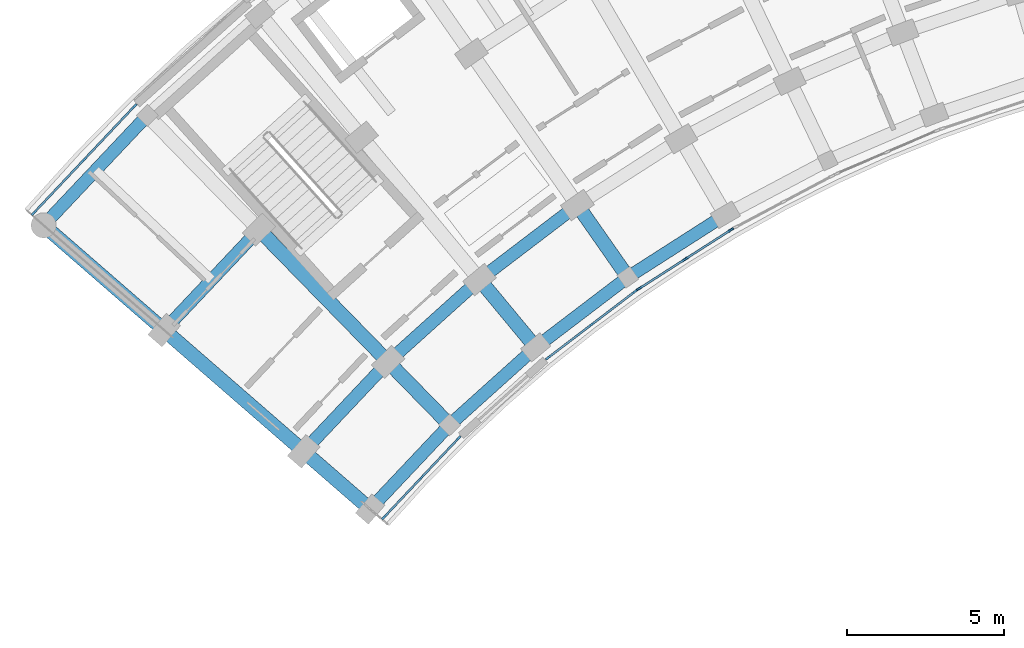
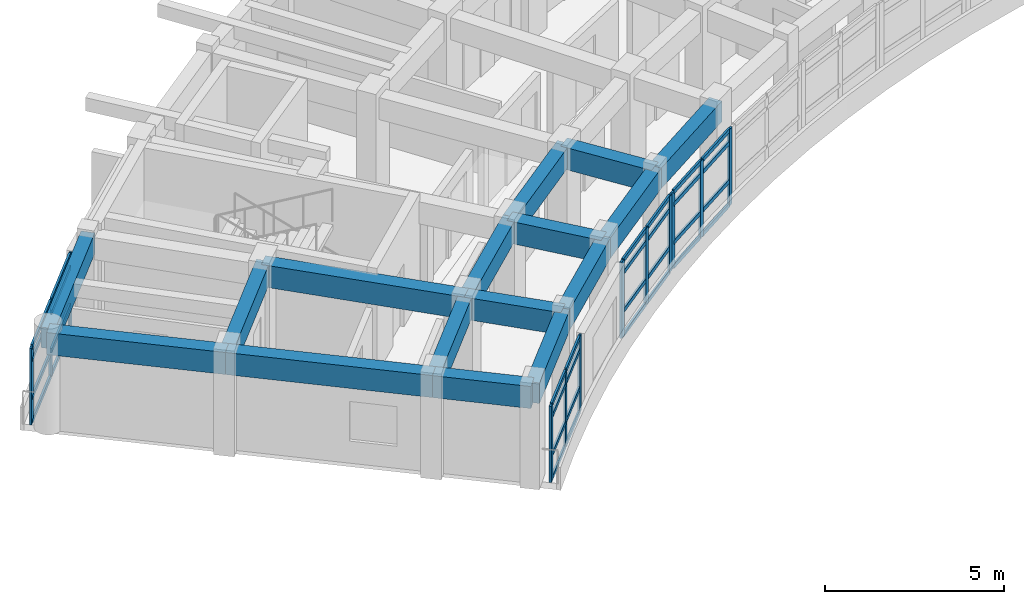
# One storey, part 22 of 83: 44 members, 16 beams, 4 elements without a shape of their own.
"""IFC4 building model written with IfcOpenShell, lengths in metres."""

from ifc_helpers import new_model, si_unit, direction, frame, origin, origin_2d, place, context, subcontext, project, spatial, rectangle, extrude, material, material_profile, profile_set, type_object, element, aggregate, save


model = new_model("IFC4")

# Units and contexts
model_context = context("Model", 3, precision=1e-05, world=origin(), true_north=direction((0.0, 1.0)))
body_context = subcontext(model_context, "Body", "Model", "MODEL_VIEW")
ifc_project = project(units=[si_unit("LENGTHUNIT", "METRE"), si_unit("AREAUNIT", "SQUARE_METRE"), si_unit("VOLUMEUNIT", "CUBIC_METRE"), si_unit("PLANEANGLEUNIT", "RADIAN"), si_unit("MASSUNIT", "GRAM", prefix="KILO")], contexts=[model_context])

# Site, building, storey
site_placement = place(None, origin())
site = spatial("IfcSite", under=ifc_project, at=site_placement, CompositionType="ELEMENT")
building_placement = place(site_placement, origin())
building = spatial("IfcBuilding", under=site, at=building_placement, Name="Zimvara Arc Housing Community", CompositionType="ELEMENT")
storey_placement = place(building_placement, frame((0.0, 0.0, 4.5)))
storey = spatial("IfcBuildingStorey", under=building, at=storey_placement, Name="L01", CompositionType="ELEMENT", Elevation=4.5)

# Beams
ifc_material_1 = material(Name="Concrete C40/50", Category="concrete")
ifc_material_profile_1 = material_profile(ifc_material_1, rectangle(XDim=0.39990234375, YDim=0.699951171875, at=origin_2d()), Name="RC 400x700")
ifc_profile_set_1 = profile_set([ifc_material_profile_1], Name="Concrete C40/50")
beam_type_1 = type_object("IfcBeamType", Name="BM-RC-400x700", PredefinedType="BEAM", material=ifc_profile_set_1)
beam_1_placement = place(storey_placement, frame((10.947509765625, 74.101318359375, 3.010009765625), z_axis=(0.686335517678, 0.727285059088, 0.0), x_axis=(-0.727285059088, 0.686335517678, 0.0)))
element("IfcBeam", 1, at=beam_1_placement, inside=storey, type_object=beam_type_1, Name="bm:blkA:L01:chord:r0:b0", PredefinedType="BEAM", context=body_context, shape_type="SweptSolid", body=[
    extrude(rectangle(XDim=0.39990234375, YDim=0.699951171875, at=origin_2d()), origin(), (0.0, 0.0, 1.0), 3.6845703125),
])
beam_2_placement = place(storey_placement, frame((13.476318359375, 76.781005859375, 3.010009765625), z_axis=(0.743366631239, 0.668884183966, 0.0), x_axis=(-0.668884183966, 0.743366631239, 0.0)))
element("IfcBeam", 2, at=beam_2_placement, inside=storey, type_object=beam_type_1, Name="bm:blkA:L01:chord:r0:b1", PredefinedType="BEAM", context=body_context, shape_type="SweptSolid", body=[
    extrude(rectangle(XDim=0.39990234375, YDim=0.699951171875, at=origin_2d()), origin(), (0.0, 0.0, 1.0), 3.684326171875),
])
beam_3_placement = place(storey_placement, frame((16.215087890625, 79.245361328125, 3.010009765625), z_axis=(0.795453014049, 0.606015265847, 0.0), x_axis=(-0.606015265847, 0.795453014049, 0.0)))
element("IfcBeam", 3, at=beam_3_placement, inside=storey, type_object=beam_type_1, Name="bm:blkA:L01:chord:r0:b2", PredefinedType="BEAM", context=body_context, shape_type="SweptSolid", body=[
    extrude(rectangle(XDim=0.39990234375, YDim=0.699951171875, at=origin_2d()), origin(), (0.0, 0.0, 1.0), 3.6845703125),
])
beam_4_placement = place(storey_placement, frame((19.14599609375, 81.478271484375, 3.010009765625), z_axis=(0.842272604079, 0.539051816079, 0.0), x_axis=(-0.539051816079, 0.842272604079, 0.0)))
element("IfcBeam", 4, at=beam_4_placement, inside=storey, type_object=beam_type_1, Name="bm:blkA:L01:chord:r0:b3", PredefinedType="BEAM", context=body_context, shape_type="SweptSolid", body=[
    extrude(rectangle(XDim=0.39990234375, YDim=0.699951171875, at=origin_2d()), origin(), (0.0, 0.0, 1.0), 3.684326171875),
])
beam_5_placement = place(storey_placement, frame((8.834228515625, 75.938232421875, 3.010009765625), z_axis=(0.686315710793, 0.727303750243, 0.0), x_axis=(-0.727303750243, 0.686315710793, 0.0)))
element("IfcBeam", 5, at=beam_5_placement, inside=storey, type_object=beam_type_1, Name="bm:blkA:L01:chord:r1:b0", PredefinedType="BEAM", context=body_context, shape_type="SweptSolid", body=[
    extrude(rectangle(XDim=0.39990234375, YDim=0.699951171875, at=origin_2d()), origin(), (0.0, 0.0, 1.0), 3.913330078125),
])
for number, where, z_axis, x_axis, name in (
    (6, (11.52001953125, 78.784423828125, 3.010009765625), (0.743402719516, 0.668844074965, 0.0), (-0.668844074965, 0.743402719516, 0.0), "bm:blkA:L01:chord:r1:b1"),
    (7, (14.428955078125, 81.401611328125, 3.010009765625), (0.795470387579, 0.605992460749, 0.0), (-0.605992460749, 0.795470387579, 0.0), "bm:blkA:L01:chord:r1:b2"),
):
    element("IfcBeam", number, at=place(storey_placement, frame(where, z_axis=z_axis, x_axis=x_axis)), inside=storey, type_object=beam_type_1, Name=name, PredefinedType="BEAM", context=body_context, shape_type="SweptSolid", body=[
        extrude(rectangle(XDim=0.39990234375, YDim=0.699951171875, at=origin_2d()), origin(), (0.0, 0.0, 1.0), 3.9130859375),
    ])
beam_6_placement = place(storey_placement, frame((4.396728515625, 79.7958984375, 3.010009765625), z_axis=(0.686303637813, 0.727315142648, 0.0), x_axis=(-0.727315142648, 0.686303637813, 0.0)))
element("IfcBeam", 8, at=beam_6_placement, inside=storey, type_object=beam_type_1, Name="bm:blkA:L01:chord:r2:b0", PredefinedType="BEAM", context=body_context, shape_type="SweptSolid", body=[
    extrude(rectangle(XDim=0.39990234375, YDim=0.699951171875, at=origin_2d()), origin(), (0.0, 0.0, 1.0), 4.393310546875),
])
beam_7_placement = place(storey_placement, frame((0.562744140625, 83.128662109375, 3.010009765625), z_axis=(0.6862954451, 0.727322873307, 0.0), x_axis=(-0.727322873307, 0.6862954451, 0.0)))
element("IfcBeam", 9, at=beam_7_placement, inside=storey, type_object=beam_type_1, Name="bm:blkA:L01:chord:r3:b0", PredefinedType="BEAM", context=body_context, shape_type="SweptSolid", body=[
    extrude(rectangle(XDim=0.39990234375, YDim=0.699951171875, at=origin_2d()), origin(), (0.0, 0.0, 1.0), 4.80810546875),
])
ifc_material_2 = material(Name="Concrete C40/50", Category="concrete")
ifc_material_profile_2 = material_profile(ifc_material_2, rectangle(XDim=0.449951171875, YDim=0.75, at=origin_2d()), Name="RC 450x750")
ifc_profile_set_2 = profile_set([ifc_material_profile_2], Name="Concrete C40/50")
beam_type_2 = type_object("IfcBeamType", Name="BM-RC-450x750", PredefinedType="BEAM", material=ifc_profile_set_2)
beam_8_placement = place(storey_placement, frame((10.947509765625, 74.101318359375, 2.985107421875), z_axis=(-0.754733151583, 0.656031912259, 0.0), x_axis=(-0.656031912259, -0.754733151583, 0.0)))
element("IfcBeam", 10, at=beam_8_placement, inside=storey, type_object=beam_type_2, Name="bm:blkA:L01:rad:b0:r01", PredefinedType="BEAM", context=body_context, shape_type="SweptSolid", body=[
    extrude(rectangle(XDim=0.449951171875, YDim=0.75, at=origin_2d()), origin(), (0.0, 0.0, 1.0), 2.800048828125),
])
beam_9_placement = place(storey_placement, frame((8.834228515625, 75.938232421875, 2.985107421875), z_axis=(-0.754692223258, 0.656078995362, 0.0), x_axis=(-0.656078995362, -0.754692223258, 0.0)))
element("IfcBeam", 11, at=beam_9_placement, inside=storey, type_object=beam_type_2, Name="bm:blkA:L01:rad:b0:r12", PredefinedType="BEAM", context=body_context, shape_type="SweptSolid", body=[
    extrude(rectangle(XDim=0.449951171875, YDim=0.75, at=origin_2d()), origin(), (0.0, 0.0, 1.0), 5.8798828125),
])
beam_10_placement = place(storey_placement, frame((4.396728515625, 79.7958984375, 2.985107421875), z_axis=(-0.754716217499, 0.656051393599, 0.0), x_axis=(-0.656051393599, -0.754716217499, 0.0)))
element("IfcBeam", 12, at=beam_10_placement, inside=storey, type_object=beam_type_2, Name="bm:blkA:L01:rad:b0:r23", PredefinedType="BEAM", context=body_context, shape_type="SweptSolid", body=[
    extrude(rectangle(XDim=0.449951171875, YDim=0.75, at=origin_2d()), origin(), (0.0, 0.0, 1.0), 5.080078125),
])
beam_11_placement = place(storey_placement, frame((13.476318359375, 76.781005859375, 2.985107421875), z_axis=(-0.698643013894, 0.71547043205, 0.0), x_axis=(-0.71547043205, -0.698643013894, 0.0)))
element("IfcBeam", 13, at=beam_11_placement, inside=storey, type_object=beam_type_2, Name="bm:blkA:L01:rad:b1:r01", PredefinedType="BEAM", context=body_context, shape_type="SweptSolid", body=[
    extrude(rectangle(XDim=0.449951171875, YDim=0.75, at=origin_2d()), origin(), (0.0, 0.0, 1.0), 2.800048828125),
])
beam_12_placement = place(storey_placement, frame((11.52001953125, 78.784423828125, 2.985107421875), z_axis=(-0.698669844288, 0.715444231707, 0.0), x_axis=(-0.715444231707, -0.698669844288, 0.0)))
element("IfcBeam", 14, at=beam_12_placement, inside=storey, type_object=beam_type_2, Name="bm:blkA:L01:rad:b1:r12", PredefinedType="BEAM", context=body_context, shape_type="SweptSolid", body=[
    extrude(rectangle(XDim=0.449951171875, YDim=0.75, at=origin_2d()), origin(), (0.0, 0.0, 1.0), 5.8798828125),
])
beam_13_placement = place(storey_placement, frame((16.215087890625, 79.245361328125, 2.985107421875), z_axis=(-0.637917412223, 0.770104781951, 0.0), x_axis=(-0.770104781951, -0.637917412223, 0.0)))
element("IfcBeam", 15, at=beam_13_placement, inside=storey, type_object=beam_type_2, Name="bm:blkA:L01:rad:b2:r01", PredefinedType="BEAM", context=body_context, shape_type="SweptSolid", body=[
    extrude(rectangle(XDim=0.449951171875, YDim=0.75, at=origin_2d()), origin(), (0.0, 0.0, 1.0), 2.800048828125),
])
beam_14_placement = place(storey_placement, frame((19.14599609375, 81.478271484375, 2.985107421875), z_axis=(-0.57297651105, 0.819571789281, 0.0), x_axis=(-0.819571789281, -0.57297651105, 0.0)))
element("IfcBeam", 16, at=beam_14_placement, inside=storey, type_object=beam_type_2, Name="bm:blkA:L01:rad:b3:r01", PredefinedType="BEAM", context=body_context, shape_type="SweptSolid", body=[
    extrude(rectangle(XDim=0.449951171875, YDim=0.75, at=origin_2d()), origin(), (0.0, 0.0, 1.0), 2.7998046875),
])

# Curtain wall, members
ifc_material_3 = material(Name="Anodised Aluminium AW-6063", Category="aluminium")
curtain_wall_type_1 = type_object("IfcCurtainWallType", Name="CW-SYS-02", PredefinedType="USERDEFINED", material=ifc_material_3)
curtain_wall_1_placement = place(storey_placement, origin())
curtain_wall_1 = element("IfcCurtainWall", 17, at=curtain_wall_1_placement, inside=storey, type_object=curtain_wall_type_1, Name="cw:blkA:L01:in:b0", ObjectType="CURTAIN WALL", PredefinedType="USERDEFINED")
ifc_material_4 = material(Name="Anodised Aluminium AW-6063", Category="aluminium")
ifc_material_profile_3 = material_profile(ifc_material_4, rectangle(XDim=0.06494140625, YDim=0.179931640625, at=origin_2d()), Name="ALU 65x180")
ifc_profile_set_3 = profile_set([ifc_material_profile_3], Name="Anodised Aluminium AW-6063")
member_type_1 = type_object("IfcMemberType", Name="CWM-65x150", PredefinedType="MULLION", material=ifc_profile_set_3)
member_1_placement = place(storey_placement, frame((11.388427734375, 73.840576171875, 0.0), z_axis=(0.0, 0.0, 1.0), x_axis=(-0.727293280483, 0.686326805658, 0.0)))
member_1 = element("IfcMember", 18, at=member_1_placement, type_object=member_type_1, Name="CW02 mullion 1", PredefinedType="MULLION", context=body_context, shape_type="SweptSolid", body=[
    extrude(rectangle(XDim=0.06494140625, YDim=0.179931640625, at=origin_2d()), origin(), (0.0, 0.0, 1.0), 2.60009765625),
])
member_2_placement = place(storey_placement, frame((12.5751953125, 75.098388671875, 0.0), z_axis=(0.0, 0.0, 1.0), x_axis=(-0.727293280483, 0.686326805658, 0.0)))
member_2 = element("IfcMember", 19, at=member_2_placement, type_object=member_type_1, Name="CW02 mullion 2", PredefinedType="MULLION", context=body_context, shape_type="SweptSolid", body=[
    extrude(rectangle(XDim=0.06494140625, YDim=0.179931640625, at=origin_2d()), origin(), (0.0, 0.0, 1.0), 2.60009765625),
])
member_3_placement = place(storey_placement, frame((13.761962890625, 76.35595703125, 0.0), z_axis=(0.0, 0.0, 1.0), x_axis=(-0.727293280483, 0.686326805658, 0.0)))
member_3 = element("IfcMember", 20, at=member_3_placement, type_object=member_type_1, Name="CW02 mullion 3", PredefinedType="MULLION", context=body_context, shape_type="SweptSolid", body=[
    extrude(rectangle(XDim=0.06494140625, YDim=0.179931640625, at=origin_2d()), origin(), (0.0, 0.0, 1.0), 2.60009765625),
])

ifc_material_5 = material(Name="Anodised Aluminium AW-6063", Category="aluminium")
curtain_wall_type_2 = type_object("IfcCurtainWallType", Name="CW-SYS-04", PredefinedType="USERDEFINED", material=ifc_material_5)
curtain_wall_2_placement = place(storey_placement, origin())
curtain_wall_2 = element("IfcCurtainWall", 21, at=curtain_wall_2_placement, inside=storey, type_object=curtain_wall_type_2, Name="cw:blkA:L01:in:b2", ObjectType="CURTAIN WALL", PredefinedType="USERDEFINED")
member_4_placement = place(storey_placement, frame((16.607666015625, 78.91650390625, 0.0), z_axis=(0.0, 0.0, 1.0), x_axis=(-0.605988318533, 0.795473543119, 0.0)))
member_4 = element("IfcMember", 22, at=member_4_placement, type_object=member_type_1, Name="CW04 mullion 1", PredefinedType="MULLION", context=body_context, shape_type="SweptSolid", body=[
    extrude(rectangle(XDim=0.06494140625, YDim=0.179931640625, at=origin_2d()), origin(), (0.0, 0.0, 1.0), 2.60009765625),
])
member_5_placement = place(storey_placement, frame((17.9833984375, 79.96435546875, 0.0), z_axis=(0.0, 0.0, 1.0), x_axis=(-0.605988318533, 0.795473543119, 0.0)))
member_5 = element("IfcMember", 23, at=member_5_placement, type_object=member_type_1, Name="CW04 mullion 2", PredefinedType="MULLION", context=body_context, shape_type="SweptSolid", body=[
    extrude(rectangle(XDim=0.06494140625, YDim=0.179931640625, at=origin_2d()), origin(), (0.0, 0.0, 1.0), 2.60009765625),
])
member_6_placement = place(storey_placement, frame((19.35888671875, 81.012451171875, 0.0), z_axis=(0.0, 0.0, 1.0), x_axis=(-0.605988318533, 0.795473543119, 0.0)))
member_6 = element("IfcMember", 24, at=member_6_placement, type_object=member_type_1, Name="CW04 mullion 3", PredefinedType="MULLION", context=body_context, shape_type="SweptSolid", body=[
    extrude(rectangle(XDim=0.06494140625, YDim=0.179931640625, at=origin_2d()), origin(), (0.0, 0.0, 1.0), 2.60009765625),
])

ifc_material_6 = material(Name="Anodised Aluminium AW-6063", Category="aluminium")
curtain_wall_type_3 = type_object("IfcCurtainWallType", Name="CW-SYS-06", PredefinedType="USERDEFINED", material=ifc_material_6)
curtain_wall_3_placement = place(storey_placement, origin())
curtain_wall_3 = element("IfcCurtainWall", 25, at=curtain_wall_3_placement, inside=storey, type_object=curtain_wall_type_3, Name="cw:blkA:L01:in:b3", ObjectType="CURTAIN WALL", PredefinedType="USERDEFINED")
member_7_placement = place(storey_placement, frame((19.510498046875, 81.118408203125, 0.0), z_axis=(0.0, 0.0, 1.0), x_axis=(-0.539064085203, 0.842264751752, 0.0)))
member_7 = element("IfcMember", 26, at=member_7_placement, type_object=member_type_1, Name="CW06 mullion 1", PredefinedType="MULLION", context=body_context, shape_type="SweptSolid", body=[
    extrude(rectangle(XDim=0.06494140625, YDim=0.179931640625, at=origin_2d()), origin(), (0.0, 0.0, 1.0), 2.60009765625),
])
member_8_placement = place(storey_placement, frame((20.967041015625, 82.050537109375, 0.0), z_axis=(0.0, 0.0, 1.0), x_axis=(-0.539064085203, 0.842264751752, 0.0)))
member_8 = element("IfcMember", 27, at=member_8_placement, type_object=member_type_1, Name="CW06 mullion 2", PredefinedType="MULLION", context=body_context, shape_type="SweptSolid", body=[
    extrude(rectangle(XDim=0.06494140625, YDim=0.179931640625, at=origin_2d()), origin(), (0.0, 0.0, 1.0), 2.60009765625),
])
member_9_placement = place(storey_placement, frame((22.423583984375, 82.982666015625, 0.0), z_axis=(0.0, 0.0, 1.0), x_axis=(-0.539064085203, 0.842264751752, 0.0)))
member_9 = element("IfcMember", 28, at=member_9_placement, type_object=member_type_1, Name="CW06 mullion 3", PredefinedType="MULLION", context=body_context, shape_type="SweptSolid", body=[
    extrude(rectangle(XDim=0.06494140625, YDim=0.179931640625, at=origin_2d()), origin(), (0.0, 0.0, 1.0), 2.60009765625),
])

ifc_material_7 = material(Name="Anodised Aluminium AW-6063", Category="aluminium")
curtain_wall_type_4 = type_object("IfcCurtainWallType", Name="CW-SYS-01", PredefinedType="USERDEFINED", material=ifc_material_7)
curtain_wall_4_placement = place(storey_placement, origin())
curtain_wall_4 = element("IfcCurtainWall", 29, at=curtain_wall_4_placement, inside=storey, type_object=curtain_wall_type_4, Name="cw:blkA:L01:out:b0", ObjectType="CURTAIN WALL", PredefinedType="USERDEFINED")
ifc_material_8 = material(Name="Anodised Aluminium AW-6063", Category="aluminium")
ifc_material_profile_4 = material_profile(ifc_material_8, rectangle(XDim=0.06494140625, YDim=0.195068359375, at=origin_2d()), Name="ALU 65x195")
ifc_profile_set_4 = profile_set([ifc_material_profile_4], Name="Anodised Aluminium AW-6063")
member_type_2 = type_object("IfcMemberType", Name="CWM-65x180", PredefinedType="MULLION", material=ifc_profile_set_4)
member_10_placement = place(storey_placement, frame((0.248779296875, 83.524169921875, 0.0), z_axis=(0.0, 0.0, 1.0), x_axis=(-0.727293647725, 0.686326416495, 0.0)))
member_10 = element("IfcMember", 30, at=member_10_placement, type_object=member_type_2, Name="CW01 mullion 1", PredefinedType="MULLION", context=body_context, shape_type="SweptSolid", body=[
    extrude(rectangle(XDim=0.06494140625, YDim=0.195068359375, at=origin_2d()), origin(), (0.0, 0.0, 1.0), 2.60009765625),
])
member_11_placement = place(storey_placement, frame((1.849365234375, 85.219970703125, 0.0), z_axis=(0.0, 0.0, 1.0), x_axis=(-0.727293647725, 0.686326416495, 0.0)))
member_11 = element("IfcMember", 31, at=member_11_placement, type_object=member_type_2, Name="CW01 mullion 2", PredefinedType="MULLION", context=body_context, shape_type="SweptSolid", body=[
    extrude(rectangle(XDim=0.06494140625, YDim=0.195068359375, at=origin_2d()), origin(), (0.0, 0.0, 1.0), 2.60009765625),
])
member_12_placement = place(storey_placement, frame((3.44970703125, 86.916015625, 0.0), z_axis=(0.0, 0.0, 1.0), x_axis=(-0.727293647725, 0.686326416495, 0.0)))
member_12 = element("IfcMember", 32, at=member_12_placement, type_object=member_type_2, Name="CW01 mullion 3", PredefinedType="MULLION", context=body_context, shape_type="SweptSolid", body=[
    extrude(rectangle(XDim=0.06494140625, YDim=0.195068359375, at=origin_2d()), origin(), (0.0, 0.0, 1.0), 2.60009765625),
])

# Member
ifc_material_9 = material(Name="Anodised Aluminium AW-6063", Category="aluminium")
ifc_material_profile_5 = material_profile(ifc_material_9, rectangle(XDim=0.06494140625, YDim=0.139892578125, at=origin_2d()), Name="ALU 65x140")
ifc_profile_set_5 = profile_set([ifc_material_profile_5], Name="Anodised Aluminium AW-6063")
member_type_3 = type_object("IfcMemberType", Name="CWT-65x120", PredefinedType="USERDEFINED", material=ifc_profile_set_5)
member_13_placement = place(storey_placement, frame((11.41064453125, 73.8642578125, 0.032470703125), z_axis=(0.686347817597, 0.727273451516, 0.0), x_axis=(-0.727273451516, 0.686347817597, 0.0)))
member_13 = element("IfcMember", 33, at=member_13_placement, type_object=member_type_3, Name="CW02 transom 1.1", ObjectType="TRANSOM", PredefinedType="USERDEFINED", context=body_context, shape_type="SweptSolid", body=[
    extrude(rectangle(XDim=0.06494140625, YDim=0.139892578125, at=origin_2d()), origin(), (0.0, 0.0, 1.0), 1.664306640625),
])

member_14_placement = place(storey_placement, frame((11.41064453125, 73.8642578125, 0.85009765625), z_axis=(0.686347817597, 0.727273451516, 0.0), x_axis=(-0.727273451516, 0.686347817597, 0.0)))
member_14 = element("IfcMember", 34, at=member_14_placement, type_object=member_type_3, Name="CW02 transom 1.2", ObjectType="TRANSOM", PredefinedType="USERDEFINED", context=body_context, shape_type="SweptSolid", body=[
    extrude(rectangle(XDim=0.06494140625, YDim=0.139892578125, at=origin_2d()), origin(), (0.0, 0.0, 1.0), 1.664306640625),
])

member_15_placement = place(storey_placement, frame((11.41064453125, 73.8642578125, 2.14990234375), z_axis=(0.686347817597, 0.727273451516, 0.0), x_axis=(-0.727273451516, 0.686347817597, 0.0)))
member_15 = element("IfcMember", 35, at=member_15_placement, type_object=member_type_3, Name="CW02 transom 1.3", ObjectType="TRANSOM", PredefinedType="USERDEFINED", context=body_context, shape_type="SweptSolid", body=[
    extrude(rectangle(XDim=0.06494140625, YDim=0.139892578125, at=origin_2d()), origin(), (0.0, 0.0, 1.0), 1.664306640625),
])

member_16_placement = place(storey_placement, frame((11.41064453125, 73.8642578125, 2.5673828125), z_axis=(0.686347817597, 0.727273451516, 0.0), x_axis=(-0.727273451516, 0.686347817597, 0.0)))
member_16 = element("IfcMember", 36, at=member_16_placement, type_object=member_type_3, Name="CW02 transom 1.4", ObjectType="TRANSOM", PredefinedType="USERDEFINED", context=body_context, shape_type="SweptSolid", body=[
    extrude(rectangle(XDim=0.06494140625, YDim=0.139892578125, at=origin_2d()), origin(), (0.0, 0.0, 1.0), 1.664306640625),
])

member_17_placement = place(storey_placement, frame((12.597412109375, 75.1220703125, 0.032470703125), z_axis=(0.686347817597, 0.727273451516, 0.0), x_axis=(-0.727273451516, 0.686347817597, 0.0)))
member_17 = element("IfcMember", 37, at=member_17_placement, type_object=member_type_3, Name="CW02 transom 2.1", ObjectType="TRANSOM", PredefinedType="USERDEFINED", context=body_context, shape_type="SweptSolid", body=[
    extrude(rectangle(XDim=0.06494140625, YDim=0.139892578125, at=origin_2d()), origin(), (0.0, 0.0, 1.0), 1.664306640625),
])

member_18_placement = place(storey_placement, frame((12.597412109375, 75.1220703125, 0.85009765625), z_axis=(0.686347817597, 0.727273451516, 0.0), x_axis=(-0.727273451516, 0.686347817597, 0.0)))
member_18 = element("IfcMember", 38, at=member_18_placement, type_object=member_type_3, Name="CW02 transom 2.2", ObjectType="TRANSOM", PredefinedType="USERDEFINED", context=body_context, shape_type="SweptSolid", body=[
    extrude(rectangle(XDim=0.06494140625, YDim=0.139892578125, at=origin_2d()), origin(), (0.0, 0.0, 1.0), 1.664306640625),
])

member_19_placement = place(storey_placement, frame((12.597412109375, 75.1220703125, 2.14990234375), z_axis=(0.686347817597, 0.727273451516, 0.0), x_axis=(-0.727273451516, 0.686347817597, 0.0)))
member_19 = element("IfcMember", 39, at=member_19_placement, type_object=member_type_3, Name="CW02 transom 2.3", ObjectType="TRANSOM", PredefinedType="USERDEFINED", context=body_context, shape_type="SweptSolid", body=[
    extrude(rectangle(XDim=0.06494140625, YDim=0.139892578125, at=origin_2d()), origin(), (0.0, 0.0, 1.0), 1.664306640625),
])

member_20_placement = place(storey_placement, frame((12.597412109375, 75.1220703125, 2.5673828125), z_axis=(0.686347817597, 0.727273451516, 0.0), x_axis=(-0.727273451516, 0.686347817597, 0.0)))
member_20 = element("IfcMember", 40, at=member_20_placement, type_object=member_type_3, Name="CW02 transom 2.4", ObjectType="TRANSOM", PredefinedType="USERDEFINED", context=body_context, shape_type="SweptSolid", body=[
    extrude(rectangle(XDim=0.06494140625, YDim=0.139892578125, at=origin_2d()), origin(), (0.0, 0.0, 1.0), 1.664306640625),
])

aggregate(curtain_wall_1, [member_1, member_2, member_3, member_13, member_14, member_15, member_16, member_17, member_18, member_19, member_20])

member_21_placement = place(storey_placement, frame((16.633544921875, 78.936279296875, 0.032470703125), z_axis=(0.795488960577, 0.605968079687, 0.0), x_axis=(-0.605968079687, 0.795488960577, 0.0)))
member_21 = element("IfcMember", 41, at=member_21_placement, type_object=member_type_3, Name="CW04 transom 1.1", ObjectType="TRANSOM", PredefinedType="USERDEFINED", context=body_context, shape_type="SweptSolid", body=[
    extrude(rectangle(XDim=0.06494140625, YDim=0.139892578125, at=origin_2d()), origin(), (0.0, 0.0, 1.0), 1.664306640625),
])

member_22_placement = place(storey_placement, frame((16.633544921875, 78.936279296875, 0.85009765625), z_axis=(0.795488960577, 0.605968079687, 0.0), x_axis=(-0.605968079687, 0.795488960577, 0.0)))
member_22 = element("IfcMember", 42, at=member_22_placement, type_object=member_type_3, Name="CW04 transom 1.2", ObjectType="TRANSOM", PredefinedType="USERDEFINED", context=body_context, shape_type="SweptSolid", body=[
    extrude(rectangle(XDim=0.06494140625, YDim=0.139892578125, at=origin_2d()), origin(), (0.0, 0.0, 1.0), 1.664306640625),
])

member_23_placement = place(storey_placement, frame((16.633544921875, 78.936279296875, 2.14990234375), z_axis=(0.795488960577, 0.605968079687, 0.0), x_axis=(-0.605968079687, 0.795488960577, 0.0)))
member_23 = element("IfcMember", 43, at=member_23_placement, type_object=member_type_3, Name="CW04 transom 1.3", ObjectType="TRANSOM", PredefinedType="USERDEFINED", context=body_context, shape_type="SweptSolid", body=[
    extrude(rectangle(XDim=0.06494140625, YDim=0.139892578125, at=origin_2d()), origin(), (0.0, 0.0, 1.0), 1.664306640625),
])

member_24_placement = place(storey_placement, frame((16.633544921875, 78.936279296875, 2.5673828125), z_axis=(0.795488960577, 0.605968079687, 0.0), x_axis=(-0.605968079687, 0.795488960577, 0.0)))
member_24 = element("IfcMember", 44, at=member_24_placement, type_object=member_type_3, Name="CW04 transom 1.4", ObjectType="TRANSOM", PredefinedType="USERDEFINED", context=body_context, shape_type="SweptSolid", body=[
    extrude(rectangle(XDim=0.06494140625, YDim=0.139892578125, at=origin_2d()), origin(), (0.0, 0.0, 1.0), 1.664306640625),
])

member_25_placement = place(storey_placement, frame((18.00927734375, 79.984130859375, 0.032470703125), z_axis=(0.795435087713, 0.606038795157, 0.0), x_axis=(-0.606038795157, 0.795435087713, 0.0)))
member_25 = element("IfcMember", 45, at=member_25_placement, type_object=member_type_3, Name="CW04 transom 2.1", ObjectType="TRANSOM", PredefinedType="USERDEFINED", context=body_context, shape_type="SweptSolid", body=[
    extrude(rectangle(XDim=0.06494140625, YDim=0.139892578125, at=origin_2d()), origin(), (0.0, 0.0, 1.0), 1.6640625),
])

member_26_placement = place(storey_placement, frame((18.00927734375, 79.984130859375, 0.85009765625), z_axis=(0.795435087713, 0.606038795157, 0.0), x_axis=(-0.606038795157, 0.795435087713, 0.0)))
member_26 = element("IfcMember", 46, at=member_26_placement, type_object=member_type_3, Name="CW04 transom 2.2", ObjectType="TRANSOM", PredefinedType="USERDEFINED", context=body_context, shape_type="SweptSolid", body=[
    extrude(rectangle(XDim=0.06494140625, YDim=0.139892578125, at=origin_2d()), origin(), (0.0, 0.0, 1.0), 1.6640625),
])

member_27_placement = place(storey_placement, frame((18.00927734375, 79.984130859375, 2.14990234375), z_axis=(0.795435087713, 0.606038795157, 0.0), x_axis=(-0.606038795157, 0.795435087713, 0.0)))
member_27 = element("IfcMember", 47, at=member_27_placement, type_object=member_type_3, Name="CW04 transom 2.3", ObjectType="TRANSOM", PredefinedType="USERDEFINED", context=body_context, shape_type="SweptSolid", body=[
    extrude(rectangle(XDim=0.06494140625, YDim=0.139892578125, at=origin_2d()), origin(), (0.0, 0.0, 1.0), 1.6640625),
])

member_28_placement = place(storey_placement, frame((18.00927734375, 79.984130859375, 2.5673828125), z_axis=(0.795435087713, 0.606038795157, 0.0), x_axis=(-0.606038795157, 0.795435087713, 0.0)))
member_28 = element("IfcMember", 48, at=member_28_placement, type_object=member_type_3, Name="CW04 transom 2.4", ObjectType="TRANSOM", PredefinedType="USERDEFINED", context=body_context, shape_type="SweptSolid", body=[
    extrude(rectangle(XDim=0.06494140625, YDim=0.139892578125, at=origin_2d()), origin(), (0.0, 0.0, 1.0), 1.6640625),
])

aggregate(curtain_wall_2, [member_4, member_5, member_6, member_21, member_22, member_23, member_24, member_25, member_26, member_27, member_28])

member_29_placement = place(storey_placement, frame((19.537841796875, 81.1357421875, 0.032470703125), z_axis=(0.842263408668, 0.539066183709, 0.0), x_axis=(-0.539066183709, 0.842263408668, 0.0)))
member_29 = element("IfcMember", 49, at=member_29_placement, type_object=member_type_3, Name="CW06 transom 1.1", ObjectType="TRANSOM", PredefinedType="USERDEFINED", context=body_context, shape_type="SweptSolid", body=[
    extrude(rectangle(XDim=0.06494140625, YDim=0.139892578125, at=origin_2d()), origin(), (0.0, 0.0, 1.0), 1.664306640625),
])

member_30_placement = place(storey_placement, frame((19.537841796875, 81.1357421875, 0.85009765625), z_axis=(0.842263408668, 0.539066183709, 0.0), x_axis=(-0.539066183709, 0.842263408668, 0.0)))
member_30 = element("IfcMember", 50, at=member_30_placement, type_object=member_type_3, Name="CW06 transom 1.2", ObjectType="TRANSOM", PredefinedType="USERDEFINED", context=body_context, shape_type="SweptSolid", body=[
    extrude(rectangle(XDim=0.06494140625, YDim=0.139892578125, at=origin_2d()), origin(), (0.0, 0.0, 1.0), 1.664306640625),
])

member_31_placement = place(storey_placement, frame((19.537841796875, 81.1357421875, 2.14990234375), z_axis=(0.842263408668, 0.539066183709, 0.0), x_axis=(-0.539066183709, 0.842263408668, 0.0)))
member_31 = element("IfcMember", 51, at=member_31_placement, type_object=member_type_3, Name="CW06 transom 1.3", ObjectType="TRANSOM", PredefinedType="USERDEFINED", context=body_context, shape_type="SweptSolid", body=[
    extrude(rectangle(XDim=0.06494140625, YDim=0.139892578125, at=origin_2d()), origin(), (0.0, 0.0, 1.0), 1.664306640625),
])

member_32_placement = place(storey_placement, frame((19.537841796875, 81.1357421875, 2.5673828125), z_axis=(0.842263408668, 0.539066183709, 0.0), x_axis=(-0.539066183709, 0.842263408668, 0.0)))
member_32 = element("IfcMember", 52, at=member_32_placement, type_object=member_type_3, Name="CW06 transom 1.4", ObjectType="TRANSOM", PredefinedType="USERDEFINED", context=body_context, shape_type="SweptSolid", body=[
    extrude(rectangle(XDim=0.06494140625, YDim=0.139892578125, at=origin_2d()), origin(), (0.0, 0.0, 1.0), 1.664306640625),
])

member_33_placement = place(storey_placement, frame((20.994384765625, 82.068115234375, 0.032470703125), z_axis=(0.842330007588, 0.538962112135, 0.0), x_axis=(-0.538962112135, 0.842330007588, 0.0)))
member_33 = element("IfcMember", 53, at=member_33_placement, type_object=member_type_3, Name="CW06 transom 2.1", ObjectType="TRANSOM", PredefinedType="USERDEFINED", context=body_context, shape_type="SweptSolid", body=[
    extrude(rectangle(XDim=0.06494140625, YDim=0.139892578125, at=origin_2d()), origin(), (0.0, 0.0, 1.0), 1.664306640625),
])

member_34_placement = place(storey_placement, frame((20.994384765625, 82.068115234375, 0.85009765625), z_axis=(0.842330007588, 0.538962112135, 0.0), x_axis=(-0.538962112135, 0.842330007588, 0.0)))
member_34 = element("IfcMember", 54, at=member_34_placement, type_object=member_type_3, Name="CW06 transom 2.2", ObjectType="TRANSOM", PredefinedType="USERDEFINED", context=body_context, shape_type="SweptSolid", body=[
    extrude(rectangle(XDim=0.06494140625, YDim=0.139892578125, at=origin_2d()), origin(), (0.0, 0.0, 1.0), 1.664306640625),
])

member_35_placement = place(storey_placement, frame((20.994384765625, 82.068115234375, 2.14990234375), z_axis=(0.842330007588, 0.538962112135, 0.0), x_axis=(-0.538962112135, 0.842330007588, 0.0)))
member_35 = element("IfcMember", 55, at=member_35_placement, type_object=member_type_3, Name="CW06 transom 2.3", ObjectType="TRANSOM", PredefinedType="USERDEFINED", context=body_context, shape_type="SweptSolid", body=[
    extrude(rectangle(XDim=0.06494140625, YDim=0.139892578125, at=origin_2d()), origin(), (0.0, 0.0, 1.0), 1.664306640625),
])

member_36_placement = place(storey_placement, frame((20.994384765625, 82.068115234375, 2.5673828125), z_axis=(0.842330007588, 0.538962112135, 0.0), x_axis=(-0.538962112135, 0.842330007588, 0.0)))
member_36 = element("IfcMember", 56, at=member_36_placement, type_object=member_type_3, Name="CW06 transom 2.4", ObjectType="TRANSOM", PredefinedType="USERDEFINED", context=body_context, shape_type="SweptSolid", body=[
    extrude(rectangle(XDim=0.06494140625, YDim=0.139892578125, at=origin_2d()), origin(), (0.0, 0.0, 1.0), 1.664306640625),
])

aggregate(curtain_wall_3, [member_7, member_8, member_9, member_29, member_30, member_31, member_32, member_33, member_34, member_35, member_36])

ifc_material_10 = material(Name="Anodised Aluminium AW-6063", Category="aluminium")
ifc_material_profile_6 = material_profile(ifc_material_10, rectangle(XDim=0.06494140625, YDim=0.155029296875, at=origin_2d()), Name="ALU 65x155")
ifc_profile_set_6 = profile_set([ifc_material_profile_6], Name="Anodised Aluminium AW-6063")
member_type_4 = type_object("IfcMemberType", Name="CWT-65x140", PredefinedType="USERDEFINED", material=ifc_profile_set_6)
member_37_placement = place(storey_placement, frame((0.271240234375, 83.547607421875, 0.032470703125), z_axis=(0.68623762882, 0.727377423894, 0.0), x_axis=(-0.727377423894, 0.68623762882, 0.0)))
member_37 = element("IfcMember", 57, at=member_37_placement, type_object=member_type_4, Name="CW01 transom 1.1", ObjectType="TRANSOM", PredefinedType="USERDEFINED", context=body_context, shape_type="SweptSolid", body=[
    extrude(rectangle(XDim=0.06494140625, YDim=0.155029296875, at=origin_2d()), origin(), (0.0, 0.0, 1.0), 2.266845703125),
])

member_38_placement = place(storey_placement, frame((0.271240234375, 83.547607421875, 0.85009765625), z_axis=(0.68623762882, 0.727377423894, 0.0), x_axis=(-0.727377423894, 0.68623762882, 0.0)))
member_38 = element("IfcMember", 58, at=member_38_placement, type_object=member_type_4, Name="CW01 transom 1.2", ObjectType="TRANSOM", PredefinedType="USERDEFINED", context=body_context, shape_type="SweptSolid", body=[
    extrude(rectangle(XDim=0.06494140625, YDim=0.155029296875, at=origin_2d()), origin(), (0.0, 0.0, 1.0), 2.266845703125),
])

member_39_placement = place(storey_placement, frame((0.271240234375, 83.547607421875, 2.14990234375), z_axis=(0.68623762882, 0.727377423894, 0.0), x_axis=(-0.727377423894, 0.68623762882, 0.0)))
member_39 = element("IfcMember", 59, at=member_39_placement, type_object=member_type_4, Name="CW01 transom 1.3", ObjectType="TRANSOM", PredefinedType="USERDEFINED", context=body_context, shape_type="SweptSolid", body=[
    extrude(rectangle(XDim=0.06494140625, YDim=0.155029296875, at=origin_2d()), origin(), (0.0, 0.0, 1.0), 2.266845703125),
])

member_40_placement = place(storey_placement, frame((0.271240234375, 83.547607421875, 2.5673828125), z_axis=(0.68623762882, 0.727377423894, 0.0), x_axis=(-0.727377423894, 0.68623762882, 0.0)))
member_40 = element("IfcMember", 60, at=member_40_placement, type_object=member_type_4, Name="CW01 transom 1.4", ObjectType="TRANSOM", PredefinedType="USERDEFINED", context=body_context, shape_type="SweptSolid", body=[
    extrude(rectangle(XDim=0.06494140625, YDim=0.155029296875, at=origin_2d()), origin(), (0.0, 0.0, 1.0), 2.266845703125),
])

member_41_placement = place(storey_placement, frame((1.87158203125, 85.24365234375, 0.032470703125), z_axis=(0.686348357589, 0.727272941911, 0.0), x_axis=(-0.727272941911, 0.686348357589, 0.0)))
member_41 = element("IfcMember", 61, at=member_41_placement, type_object=member_type_4, Name="CW01 transom 2.1", ObjectType="TRANSOM", PredefinedType="USERDEFINED", context=body_context, shape_type="SweptSolid", body=[
    extrude(rectangle(XDim=0.06494140625, YDim=0.155029296875, at=origin_2d()), origin(), (0.0, 0.0, 1.0), 2.266845703125),
])

member_42_placement = place(storey_placement, frame((1.87158203125, 85.24365234375, 0.85009765625), z_axis=(0.686348357589, 0.727272941911, 0.0), x_axis=(-0.727272941911, 0.686348357589, 0.0)))
member_42 = element("IfcMember", 62, at=member_42_placement, type_object=member_type_4, Name="CW01 transom 2.2", ObjectType="TRANSOM", PredefinedType="USERDEFINED", context=body_context, shape_type="SweptSolid", body=[
    extrude(rectangle(XDim=0.06494140625, YDim=0.155029296875, at=origin_2d()), origin(), (0.0, 0.0, 1.0), 2.266845703125),
])

member_43_placement = place(storey_placement, frame((1.87158203125, 85.24365234375, 2.14990234375), z_axis=(0.686348357589, 0.727272941911, 0.0), x_axis=(-0.727272941911, 0.686348357589, 0.0)))
member_43 = element("IfcMember", 63, at=member_43_placement, type_object=member_type_4, Name="CW01 transom 2.3", ObjectType="TRANSOM", PredefinedType="USERDEFINED", context=body_context, shape_type="SweptSolid", body=[
    extrude(rectangle(XDim=0.06494140625, YDim=0.155029296875, at=origin_2d()), origin(), (0.0, 0.0, 1.0), 2.266845703125),
])

member_44_placement = place(storey_placement, frame((1.87158203125, 85.24365234375, 2.5673828125), z_axis=(0.686348357589, 0.727272941911, 0.0), x_axis=(-0.727272941911, 0.686348357589, 0.0)))
member_44 = element("IfcMember", 64, at=member_44_placement, type_object=member_type_4, Name="CW01 transom 2.4", ObjectType="TRANSOM", PredefinedType="USERDEFINED", context=body_context, shape_type="SweptSolid", body=[
    extrude(rectangle(XDim=0.06494140625, YDim=0.155029296875, at=origin_2d()), origin(), (0.0, 0.0, 1.0), 2.266845703125),
])

aggregate(curtain_wall_4, [member_10, member_11, member_12, member_37, member_38, member_39, member_40, member_41, member_42, member_43, member_44])

save(model, "model.ifc")
